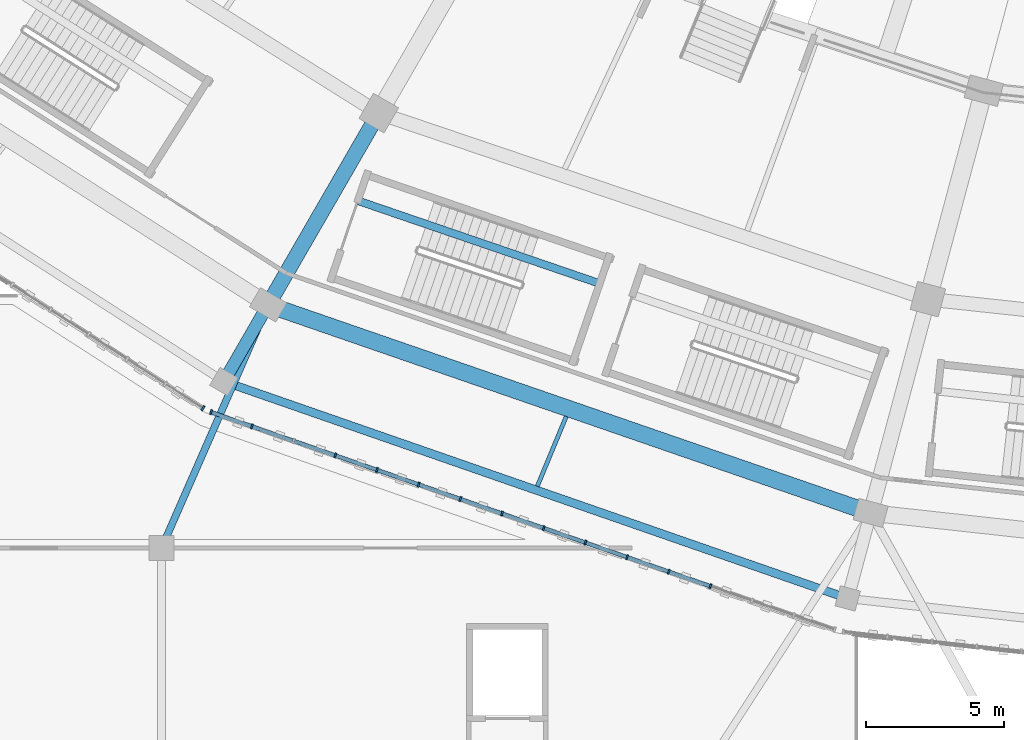
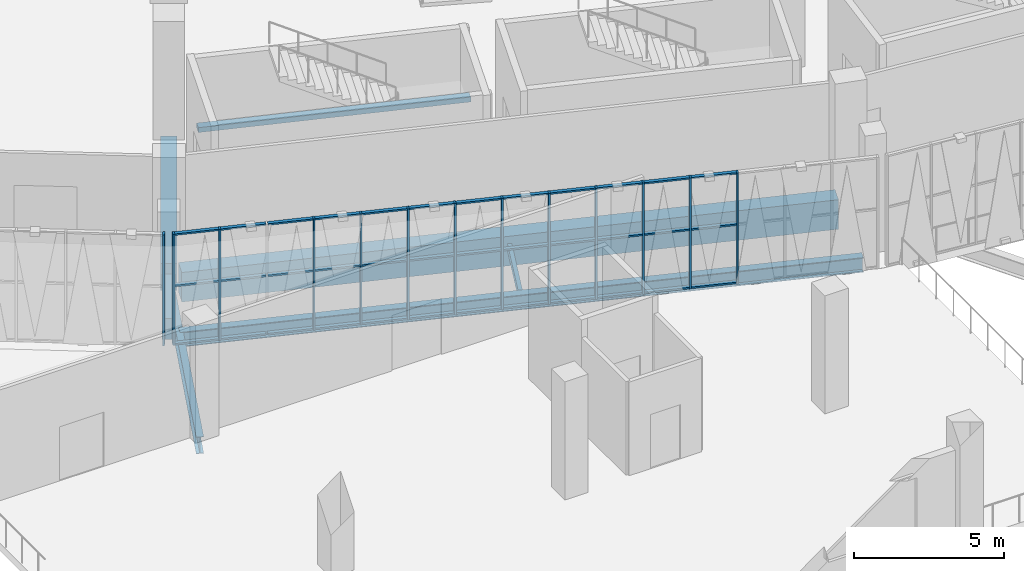
# One storey, part 14 of 183: 49 members, 7 beams, 2 elements without a shape of their own.
"""IFC4 building model written with IfcOpenShell, lengths in metres."""

from ifc_helpers import new_model, si_unit, direction, frame, origin, origin_2d, place, context, subcontext, project, spatial, rectangle, i_section, extrude, material, material_profile, profile_set, type_object, element, aggregate, save


model = new_model("IFC4")

# Units and contexts
model_context = context("Model", 3, precision=1e-05, world=origin(), true_north=direction((0.0, 1.0)))
body_context = subcontext(model_context, "Body", "Model", "MODEL_VIEW")
ifc_project = project(units=[si_unit("LENGTHUNIT", "METRE"), si_unit("AREAUNIT", "SQUARE_METRE"), si_unit("VOLUMEUNIT", "CUBIC_METRE"), si_unit("PLANEANGLEUNIT", "RADIAN"), si_unit("MASSUNIT", "GRAM", prefix="KILO")], contexts=[model_context])

# Site, building, storey
site_placement = place(None, origin())
site = spatial("IfcSite", under=ifc_project, at=site_placement, CompositionType="ELEMENT")
building_placement = place(site_placement, origin())
building = spatial("IfcBuilding", under=site, at=building_placement, Name="Zevraka Park Crest Stadium", CompositionType="ELEMENT")
storey_placement = place(building_placement, frame((0.0, 0.0, 5.39990234375)))
storey = spatial("IfcBuildingStorey", under=building, at=storey_placement, Name="L01", CompositionType="ELEMENT", Elevation=5.39990234375)

# Beams
ifc_material_1 = material(Name="Concrete C40/50", Category="concrete")
ifc_material_profile_1 = material_profile(ifc_material_1, rectangle(XDim=0.550048828125, YDim=1.10009765625, at=origin_2d()), Name="RC 1100x550")
ifc_profile_set_1 = profile_set([ifc_material_profile_1], Name="Concrete C40/50")
beam_type_1 = type_object("IfcBeamType", Name="BG02", PredefinedType="BEAM", material=ifc_profile_set_1)
beam_1_placement = place(storey_placement, frame((70.699951171875, 33.4560546875, -0.559814453125), z_axis=(-0.500031859608, -0.86600700885, 0.0), x_axis=(0.86600700885, -0.500031859608, 0.0)))
element("IfcBeam", 1, at=beam_1_placement, inside=storey, type_object=beam_type_1, Name="Radial Girder BG02 L01-CD-16", PredefinedType="BEAM", context=body_context, shape_type="SweptSolid", body=[
    extrude(rectangle(XDim=0.550048828125, YDim=1.10009765625, at=origin_2d()), origin(), (0.0, 0.0, 1.0), 7.3994140625),
])
ifc_material_2 = material(Name="Concrete C40/50", Category="concrete")
ifc_material_profile_2 = material_profile(ifc_material_2, rectangle(XDim=0.449951171875, YDim=0.85009765625, at=origin_2d()), Name="RC 850x450")
ifc_profile_set_2 = profile_set([ifc_material_profile_2], Name="Concrete C40/50")
beam_type_2 = type_object("IfcBeamType", Name="BG03", PredefinedType="BEAM", material=ifc_profile_set_2)
beam_2_placement = place(storey_placement, frame((66.699951171875, 26.528076171875, -0.434814453125), z_axis=(-0.500128937424, -0.865950948929, 0.0), x_axis=(0.865950948929, -0.500128937424, 0.0)))
element("IfcBeam", 2, at=beam_2_placement, inside=storey, type_object=beam_type_2, Name="Radial Girder BG03 L01-DE-16", PredefinedType="BEAM", context=body_context, shape_type="SweptSolid", body=[
    extrude(rectangle(XDim=0.449951171875, YDim=0.85009765625, at=origin_2d()), origin(), (0.0, 0.0, 1.0), 2.599365234375),
])
ifc_material_3 = material(Name="Steel S355", Category="steel")
ifc_material_profile_3 = material_profile(ifc_material_3, i_section(OverallWidth=0.253662109375, OverallDepth=0.68359375, WebThickness=0.012451171875, FlangeThickness=0.01904296875, at=origin_2d()), Name="UKB 686x254x140")
ifc_profile_set_3 = profile_set([ifc_material_profile_3], Name="Steel S355")
beam_type_3 = type_object("IfcBeamType", Name="BG05", PredefinedType="BEAM", material=ifc_profile_set_3)
beam_3_placement = place(storey_placement, frame((63.080078125, 18.18310546875, -0.649658203125), z_axis=(0.401335913167, 0.915930938883, 0.0), x_axis=(-0.915930938883, 0.401335913167, 0.0)))
element("IfcBeam", 3, at=beam_3_placement, inside=storey, type_object=beam_type_3, Name="Wing Link Girder BG05 L01-8/C", PredefinedType="BEAM", context=body_context, shape_type="SweptSolid", body=[
    extrude(i_section(OverallWidth=0.253662109375, OverallDepth=0.68359375, WebThickness=0.012451171875, FlangeThickness=0.01904296875, at=origin_2d()), origin(), (0.0, 0.0, 1.0), 9.0146484375),
])

# Curtain wall, members
ifc_material_4 = material(Name="Anodised architectural aluminium and laminated safety glass", Category="aluminium")
curtain_wall_type_1 = type_object("IfcCurtainWallType", Name="CW02", PredefinedType="NOTDEFINED", material=ifc_material_4)
curtain_wall_1_placement = place(storey_placement, origin())
curtain_wall_1 = element("IfcCurtainWall", 4, at=curtain_wall_1_placement, inside=storey, type_object=curtain_wall_type_1, Name="Unitised Ring Curtain Wall CW02 L01-16", PredefinedType="NOTDEFINED")
ifc_material_5 = material(Name="Anodised architectural aluminium", Category="aluminium")
ifc_material_profile_4 = material_profile(ifc_material_5, rectangle(XDim=0.179931640625, YDim=0.06494140625, at=origin_2d()), Name="ALU MULLION 180x65")
ifc_profile_set_4 = profile_set([ifc_material_profile_4], Name="Anodised architectural aluminium")
member_type_1 = type_object("IfcMemberType", Name="CM02", PredefinedType="MULLION", material=ifc_profile_set_4)
member_1_placement = place(storey_placement, frame((64.789794921875, 22.9091796875, 0.0), z_axis=(0.0, 0.0, 1.0), x_axis=(0.329209289879, 0.944256979565, 0.0)))
member_1 = element("IfcMember", 5, at=member_1_placement, type_object=member_type_1, Name="CW02 mullion 1", PredefinedType="MULLION", context=body_context, shape_type="SweptSolid", body=[
    extrude(rectangle(XDim=0.179931640625, YDim=0.06494140625, at=origin_2d()), origin(), (0.0, 0.0, 1.0), 4.52001953125),
])
member_2_placement = place(storey_placement, frame((66.265625, 22.394775390625, 0.0), z_axis=(0.0, 0.0, 1.0), x_axis=(0.329209289879, 0.944256979565, 0.0)))
member_2 = element("IfcMember", 6, at=member_2_placement, type_object=member_type_1, Name="CW02 mullion 2", PredefinedType="MULLION", context=body_context, shape_type="SweptSolid", body=[
    extrude(rectangle(XDim=0.179931640625, YDim=0.06494140625, at=origin_2d()), origin(), (0.0, 0.0, 1.0), 4.52001953125),
])
member_3_placement = place(storey_placement, frame((69.27880859375, 21.34423828125, 0.0), z_axis=(0.0, 0.0, 1.0), x_axis=(0.329209289879, 0.944256979565, 0.0)))
member_3 = element("IfcMember", 7, at=member_3_placement, type_object=member_type_1, Name="CW02 mullion 4", PredefinedType="MULLION", context=body_context, shape_type="SweptSolid", body=[
    extrude(rectangle(XDim=0.179931640625, YDim=0.06494140625, at=origin_2d()), origin(), (0.0, 0.0, 1.0), 4.52001953125),
])
member_4_placement = place(storey_placement, frame((70.785400390625, 20.81884765625, 0.0), z_axis=(0.0, 0.0, 1.0), x_axis=(0.329209289879, 0.944256979565, 0.0)))
member_4 = element("IfcMember", 8, at=member_4_placement, type_object=member_type_1, Name="CW02 mullion 5", PredefinedType="MULLION", context=body_context, shape_type="SweptSolid", body=[
    extrude(rectangle(XDim=0.179931640625, YDim=0.06494140625, at=origin_2d()), origin(), (0.0, 0.0, 1.0), 4.52001953125),
])
member_5_placement = place(storey_placement, frame((72.2919921875, 20.293701171875, 0.0), z_axis=(0.0, 0.0, 1.0), x_axis=(0.329209289879, 0.944256979565, 0.0)))
member_5 = element("IfcMember", 9, at=member_5_placement, type_object=member_type_1, Name="CW02 mullion 6", PredefinedType="MULLION", context=body_context, shape_type="SweptSolid", body=[
    extrude(rectangle(XDim=0.179931640625, YDim=0.06494140625, at=origin_2d()), origin(), (0.0, 0.0, 1.0), 4.52001953125),
])
member_6_placement = place(storey_placement, frame((73.798583984375, 19.768310546875, 0.0), z_axis=(0.0, 0.0, 1.0), x_axis=(0.329209289879, 0.944256979565, 0.0)))
member_6 = element("IfcMember", 10, at=member_6_placement, type_object=member_type_1, Name="CW02 mullion 7", PredefinedType="MULLION", context=body_context, shape_type="SweptSolid", body=[
    extrude(rectangle(XDim=0.179931640625, YDim=0.06494140625, at=origin_2d()), origin(), (0.0, 0.0, 1.0), 4.52001953125),
])
member_7_placement = place(storey_placement, frame((75.30517578125, 19.2431640625, 0.0), z_axis=(0.0, 0.0, 1.0), x_axis=(0.329209289879, 0.944256979565, 0.0)))
member_7 = element("IfcMember", 11, at=member_7_placement, type_object=member_type_1, Name="CW02 mullion 8", PredefinedType="MULLION", context=body_context, shape_type="SweptSolid", body=[
    extrude(rectangle(XDim=0.179931640625, YDim=0.06494140625, at=origin_2d()), origin(), (0.0, 0.0, 1.0), 4.52001953125),
])
member_8_placement = place(storey_placement, frame((76.811767578125, 18.7177734375, 0.0), z_axis=(0.0, 0.0, 1.0), x_axis=(0.329209289879, 0.944256979565, 0.0)))
member_8 = element("IfcMember", 12, at=member_8_placement, type_object=member_type_1, Name="CW02 mullion 9", PredefinedType="MULLION", context=body_context, shape_type="SweptSolid", body=[
    extrude(rectangle(XDim=0.179931640625, YDim=0.06494140625, at=origin_2d()), origin(), (0.0, 0.0, 1.0), 4.52001953125),
])
member_9_placement = place(storey_placement, frame((78.318359375, 18.192626953125, 0.0), z_axis=(0.0, 0.0, 1.0), x_axis=(0.329209289879, 0.944256979565, 0.0)))
member_9 = element("IfcMember", 13, at=member_9_placement, type_object=member_type_1, Name="CW02 mullion 10", PredefinedType="MULLION", context=body_context, shape_type="SweptSolid", body=[
    extrude(rectangle(XDim=0.179931640625, YDim=0.06494140625, at=origin_2d()), origin(), (0.0, 0.0, 1.0), 4.52001953125),
])
member_10_placement = place(storey_placement, frame((79.824951171875, 17.667236328125, 0.0), z_axis=(0.0, 0.0, 1.0), x_axis=(0.329209289879, 0.944256979565, 0.0)))
member_10 = element("IfcMember", 14, at=member_10_placement, type_object=member_type_1, Name="CW02 mullion 11", PredefinedType="MULLION", context=body_context, shape_type="SweptSolid", body=[
    extrude(rectangle(XDim=0.179931640625, YDim=0.06494140625, at=origin_2d()), origin(), (0.0, 0.0, 1.0), 4.52001953125),
])
member_11_placement = place(storey_placement, frame((81.33154296875, 17.14208984375, 0.0), z_axis=(0.0, 0.0, 1.0), x_axis=(0.329209289879, 0.944256979565, 0.0)))
member_11 = element("IfcMember", 15, at=member_11_placement, type_object=member_type_1, Name="CW02 mullion 12", PredefinedType="MULLION", context=body_context, shape_type="SweptSolid", body=[
    extrude(rectangle(XDim=0.179931640625, YDim=0.06494140625, at=origin_2d()), origin(), (0.0, 0.0, 1.0), 4.52001953125),
])
member_12_placement = place(storey_placement, frame((82.838134765625, 16.61669921875, 0.0), z_axis=(0.0, 0.0, 1.0), x_axis=(0.329209289879, 0.944256979565, 0.0)))
member_12 = element("IfcMember", 16, at=member_12_placement, type_object=member_type_1, Name="CW02 mullion 13", PredefinedType="MULLION", context=body_context, shape_type="SweptSolid", body=[
    extrude(rectangle(XDim=0.179931640625, YDim=0.06494140625, at=origin_2d()), origin(), (0.0, 0.0, 1.0), 4.52001953125),
])

# Curtain wall, member
ifc_material_6 = material(Name="Anodised architectural aluminium and laminated safety glass", Category="aluminium")
curtain_wall_type_2 = type_object("IfcCurtainWallType", Name="CW03", PredefinedType="NOTDEFINED", material=ifc_material_6)
curtain_wall_2_placement = place(storey_placement, origin())
curtain_wall_2 = element("IfcCurtainWall", 17, at=curtain_wall_2_placement, inside=storey, type_object=curtain_wall_type_2, Name="Unitised Ring Curtain Wall CW03 L01-15", PredefinedType="NOTDEFINED")
ifc_material_7 = material(Name="Anodised architectural aluminium", Category="aluminium")
ifc_material_profile_5 = material_profile(ifc_material_7, rectangle(XDim=0.199951171875, YDim=0.070068359375, at=origin_2d()), Name="ALU MULLION 200x70")
ifc_profile_set_5 = profile_set([ifc_material_profile_5], Name="Anodised architectural aluminium")
member_type_2 = type_object("IfcMemberType", Name="CM03", PredefinedType="MULLION", material=ifc_profile_set_5)
member_13_placement = place(storey_placement, frame((64.49658203125, 23.052978515625, 0.0), z_axis=(0.0, 0.0, 1.0), x_axis=(0.542570628938, 0.840010186018, 0.0)))
member_13 = element("IfcMember", 18, at=member_13_placement, type_object=member_type_2, Name="CW03 mullion 15", PredefinedType="MULLION", context=body_context, shape_type="SweptSolid", body=[
    extrude(rectangle(XDim=0.199951171875, YDim=0.070068359375, at=origin_2d()), origin(), (0.0, 0.0, 1.0), 4.52001953125),
])
aggregate(curtain_wall_2, [member_13])

# Member
ifc_material_8 = material(Name="Anodised architectural aluminium", Category="aluminium")
ifc_material_profile_6 = material_profile(ifc_material_8, rectangle(XDim=0.139892578125, YDim=0.06494140625, at=origin_2d()), Name="ALU TRANSOM 140x65")
ifc_profile_set_6 = profile_set([ifc_material_profile_6], Name="Anodised architectural aluminium")
member_type_3 = type_object("IfcMemberType", Name="CT02", PredefinedType="USERDEFINED", material=ifc_profile_set_6)
member_14_placement = place(storey_placement, frame((64.8203125, 22.898681640625, 0.03271484375), z_axis=(0.944259100234, -0.329203207192, 0.0), x_axis=(0.329203207192, 0.944259100234, 0.0)))
member_14 = element("IfcMember", 19, at=member_14_placement, type_object=member_type_3, Name="CW02 transom 1.1", ObjectType="TRANSOM", PredefinedType="USERDEFINED", context=body_context, shape_type="SweptSolid", body=[
    extrude(rectangle(XDim=0.139892578125, YDim=0.06494140625, at=origin_2d()), origin(), (0.0, 0.0, 1.0), 1.498046875),
])

member_15_placement = place(storey_placement, frame((64.8203125, 22.898681640625, 2.400146484375), z_axis=(0.944259100234, -0.329203207192, 0.0), x_axis=(0.329203207192, 0.944259100234, 0.0)))
member_15 = element("IfcMember", 20, at=member_15_placement, type_object=member_type_3, Name="CW02 transom 1.2", ObjectType="TRANSOM", PredefinedType="USERDEFINED", context=body_context, shape_type="SweptSolid", body=[
    extrude(rectangle(XDim=0.139892578125, YDim=0.06494140625, at=origin_2d()), origin(), (0.0, 0.0, 1.0), 1.498046875),
])

member_16_placement = place(storey_placement, frame((64.8203125, 22.898681640625, 4.487548828125), z_axis=(0.944259100234, -0.329203207192, 0.0), x_axis=(0.329203207192, 0.944259100234, 0.0)))
member_16 = element("IfcMember", 21, at=member_16_placement, type_object=member_type_3, Name="CW02 transom 1.3", ObjectType="TRANSOM", PredefinedType="USERDEFINED", context=body_context, shape_type="SweptSolid", body=[
    extrude(rectangle(XDim=0.139892578125, YDim=0.06494140625, at=origin_2d()), origin(), (0.0, 0.0, 1.0), 1.498046875),
])

member_17_placement = place(storey_placement, frame((66.29638671875, 22.384033203125, 0.03271484375), z_axis=(0.944238249242, -0.329263008352, 0.0), x_axis=(0.329263008352, 0.944238249242, 0.0)))
member_17 = element("IfcMember", 22, at=member_17_placement, type_object=member_type_3, Name="CW02 transom 2.1", ObjectType="TRANSOM", PredefinedType="USERDEFINED", context=body_context, shape_type="SweptSolid", body=[
    extrude(rectangle(XDim=0.139892578125, YDim=0.06494140625, at=origin_2d()), origin(), (0.0, 0.0, 1.0), 1.530517578125),
])

member_18_placement = place(storey_placement, frame((66.29638671875, 22.384033203125, 2.400146484375), z_axis=(0.944238249242, -0.329263008352, 0.0), x_axis=(0.329263008352, 0.944238249242, 0.0)))
member_18 = element("IfcMember", 23, at=member_18_placement, type_object=member_type_3, Name="CW02 transom 2.2", ObjectType="TRANSOM", PredefinedType="USERDEFINED", context=body_context, shape_type="SweptSolid", body=[
    extrude(rectangle(XDim=0.139892578125, YDim=0.06494140625, at=origin_2d()), origin(), (0.0, 0.0, 1.0), 1.530517578125),
])

member_19_placement = place(storey_placement, frame((66.29638671875, 22.384033203125, 4.487548828125), z_axis=(0.944238249242, -0.329263008352, 0.0), x_axis=(0.329263008352, 0.944238249242, 0.0)))
member_19 = element("IfcMember", 24, at=member_19_placement, type_object=member_type_3, Name="CW02 transom 2.3", ObjectType="TRANSOM", PredefinedType="USERDEFINED", context=body_context, shape_type="SweptSolid", body=[
    extrude(rectangle(XDim=0.139892578125, YDim=0.06494140625, at=origin_2d()), origin(), (0.0, 0.0, 1.0), 1.530517578125),
])

member_20_placement = place(storey_placement, frame((67.802978515625, 21.85888671875, 0.03271484375), z_axis=(0.944238249242, -0.329263008352, 0.0), x_axis=(0.329263008352, 0.944238249242, 0.0)))
member_20 = element("IfcMember", 25, at=member_20_placement, type_object=member_type_3, Name="CW02 transom 3.1", ObjectType="TRANSOM", PredefinedType="USERDEFINED", context=body_context, shape_type="SweptSolid", body=[
    extrude(rectangle(XDim=0.139892578125, YDim=0.06494140625, at=origin_2d()), origin(), (0.0, 0.0, 1.0), 1.530517578125),
])

member_21_placement = place(storey_placement, frame((67.802978515625, 21.85888671875, 2.400146484375), z_axis=(0.944238249242, -0.329263008352, 0.0), x_axis=(0.329263008352, 0.944238249242, 0.0)))
member_21 = element("IfcMember", 26, at=member_21_placement, type_object=member_type_3, Name="CW02 transom 3.2", ObjectType="TRANSOM", PredefinedType="USERDEFINED", context=body_context, shape_type="SweptSolid", body=[
    extrude(rectangle(XDim=0.139892578125, YDim=0.06494140625, at=origin_2d()), origin(), (0.0, 0.0, 1.0), 1.530517578125),
])

member_22_placement = place(storey_placement, frame((67.802978515625, 21.85888671875, 4.487548828125), z_axis=(0.944238249242, -0.329263008352, 0.0), x_axis=(0.329263008352, 0.944238249242, 0.0)))
member_22 = element("IfcMember", 27, at=member_22_placement, type_object=member_type_3, Name="CW02 transom 3.3", ObjectType="TRANSOM", PredefinedType="USERDEFINED", context=body_context, shape_type="SweptSolid", body=[
    extrude(rectangle(XDim=0.139892578125, YDim=0.06494140625, at=origin_2d()), origin(), (0.0, 0.0, 1.0), 1.530517578125),
])

member_23_placement = place(storey_placement, frame((69.3095703125, 21.33349609375, 0.03271484375), z_axis=(0.944238249242, -0.329263008352, 0.0), x_axis=(0.329263008352, 0.944238249242, 0.0)))
member_23 = element("IfcMember", 28, at=member_23_placement, type_object=member_type_3, Name="CW02 transom 4.1", ObjectType="TRANSOM", PredefinedType="USERDEFINED", context=body_context, shape_type="SweptSolid", body=[
    extrude(rectangle(XDim=0.139892578125, YDim=0.06494140625, at=origin_2d()), origin(), (0.0, 0.0, 1.0), 1.530517578125),
])

member_24_placement = place(storey_placement, frame((69.3095703125, 21.33349609375, 2.400146484375), z_axis=(0.944238249242, -0.329263008352, 0.0), x_axis=(0.329263008352, 0.944238249242, 0.0)))
member_24 = element("IfcMember", 29, at=member_24_placement, type_object=member_type_3, Name="CW02 transom 4.2", ObjectType="TRANSOM", PredefinedType="USERDEFINED", context=body_context, shape_type="SweptSolid", body=[
    extrude(rectangle(XDim=0.139892578125, YDim=0.06494140625, at=origin_2d()), origin(), (0.0, 0.0, 1.0), 1.530517578125),
])

member_25_placement = place(storey_placement, frame((69.3095703125, 21.33349609375, 4.487548828125), z_axis=(0.944238249242, -0.329263008352, 0.0), x_axis=(0.329263008352, 0.944238249242, 0.0)))
member_25 = element("IfcMember", 30, at=member_25_placement, type_object=member_type_3, Name="CW02 transom 4.3", ObjectType="TRANSOM", PredefinedType="USERDEFINED", context=body_context, shape_type="SweptSolid", body=[
    extrude(rectangle(XDim=0.139892578125, YDim=0.06494140625, at=origin_2d()), origin(), (0.0, 0.0, 1.0), 1.530517578125),
])

member_26_placement = place(storey_placement, frame((70.816162109375, 20.808349609375, 0.03271484375), z_axis=(0.944238249242, -0.329263008352, 0.0), x_axis=(0.329263008352, 0.944238249242, 0.0)))
member_26 = element("IfcMember", 31, at=member_26_placement, type_object=member_type_3, Name="CW02 transom 5.1", ObjectType="TRANSOM", PredefinedType="USERDEFINED", context=body_context, shape_type="SweptSolid", body=[
    extrude(rectangle(XDim=0.139892578125, YDim=0.06494140625, at=origin_2d()), origin(), (0.0, 0.0, 1.0), 1.530517578125),
])

member_27_placement = place(storey_placement, frame((70.816162109375, 20.808349609375, 2.400146484375), z_axis=(0.944238249242, -0.329263008352, 0.0), x_axis=(0.329263008352, 0.944238249242, 0.0)))
member_27 = element("IfcMember", 32, at=member_27_placement, type_object=member_type_3, Name="CW02 transom 5.2", ObjectType="TRANSOM", PredefinedType="USERDEFINED", context=body_context, shape_type="SweptSolid", body=[
    extrude(rectangle(XDim=0.139892578125, YDim=0.06494140625, at=origin_2d()), origin(), (0.0, 0.0, 1.0), 1.530517578125),
])

member_28_placement = place(storey_placement, frame((70.816162109375, 20.808349609375, 4.487548828125), z_axis=(0.944238249242, -0.329263008352, 0.0), x_axis=(0.329263008352, 0.944238249242, 0.0)))
member_28 = element("IfcMember", 33, at=member_28_placement, type_object=member_type_3, Name="CW02 transom 5.3", ObjectType="TRANSOM", PredefinedType="USERDEFINED", context=body_context, shape_type="SweptSolid", body=[
    extrude(rectangle(XDim=0.139892578125, YDim=0.06494140625, at=origin_2d()), origin(), (0.0, 0.0, 1.0), 1.530517578125),
])

member_29_placement = place(storey_placement, frame((72.32275390625, 20.282958984375, 0.03271484375), z_axis=(0.944238249242, -0.329263008352, 0.0), x_axis=(0.329263008352, 0.944238249242, 0.0)))
member_29 = element("IfcMember", 34, at=member_29_placement, type_object=member_type_3, Name="CW02 transom 6.1", ObjectType="TRANSOM", PredefinedType="USERDEFINED", context=body_context, shape_type="SweptSolid", body=[
    extrude(rectangle(XDim=0.139892578125, YDim=0.06494140625, at=origin_2d()), origin(), (0.0, 0.0, 1.0), 1.530517578125),
])

member_30_placement = place(storey_placement, frame((72.32275390625, 20.282958984375, 2.400146484375), z_axis=(0.944238249242, -0.329263008352, 0.0), x_axis=(0.329263008352, 0.944238249242, 0.0)))
member_30 = element("IfcMember", 35, at=member_30_placement, type_object=member_type_3, Name="CW02 transom 6.2", ObjectType="TRANSOM", PredefinedType="USERDEFINED", context=body_context, shape_type="SweptSolid", body=[
    extrude(rectangle(XDim=0.139892578125, YDim=0.06494140625, at=origin_2d()), origin(), (0.0, 0.0, 1.0), 1.530517578125),
])

member_31_placement = place(storey_placement, frame((72.32275390625, 20.282958984375, 4.487548828125), z_axis=(0.944238249242, -0.329263008352, 0.0), x_axis=(0.329263008352, 0.944238249242, 0.0)))
member_31 = element("IfcMember", 36, at=member_31_placement, type_object=member_type_3, Name="CW02 transom 6.3", ObjectType="TRANSOM", PredefinedType="USERDEFINED", context=body_context, shape_type="SweptSolid", body=[
    extrude(rectangle(XDim=0.139892578125, YDim=0.06494140625, at=origin_2d()), origin(), (0.0, 0.0, 1.0), 1.530517578125),
])

member_32_placement = place(storey_placement, frame((73.829345703125, 19.7578125, 0.03271484375), z_axis=(0.944238249242, -0.329263008352, 0.0), x_axis=(0.329263008352, 0.944238249242, 0.0)))
member_32 = element("IfcMember", 37, at=member_32_placement, type_object=member_type_3, Name="CW02 transom 7.1", ObjectType="TRANSOM", PredefinedType="USERDEFINED", context=body_context, shape_type="SweptSolid", body=[
    extrude(rectangle(XDim=0.139892578125, YDim=0.06494140625, at=origin_2d()), origin(), (0.0, 0.0, 1.0), 1.530517578125),
])

member_33_placement = place(storey_placement, frame((73.829345703125, 19.7578125, 2.400146484375), z_axis=(0.944238249242, -0.329263008352, 0.0), x_axis=(0.329263008352, 0.944238249242, 0.0)))
member_33 = element("IfcMember", 38, at=member_33_placement, type_object=member_type_3, Name="CW02 transom 7.2", ObjectType="TRANSOM", PredefinedType="USERDEFINED", context=body_context, shape_type="SweptSolid", body=[
    extrude(rectangle(XDim=0.139892578125, YDim=0.06494140625, at=origin_2d()), origin(), (0.0, 0.0, 1.0), 1.530517578125),
])

member_34_placement = place(storey_placement, frame((73.829345703125, 19.7578125, 4.487548828125), z_axis=(0.944238249242, -0.329263008352, 0.0), x_axis=(0.329263008352, 0.944238249242, 0.0)))
member_34 = element("IfcMember", 39, at=member_34_placement, type_object=member_type_3, Name="CW02 transom 7.3", ObjectType="TRANSOM", PredefinedType="USERDEFINED", context=body_context, shape_type="SweptSolid", body=[
    extrude(rectangle(XDim=0.139892578125, YDim=0.06494140625, at=origin_2d()), origin(), (0.0, 0.0, 1.0), 1.530517578125),
])

member_35_placement = place(storey_placement, frame((75.3359375, 19.232421875, 0.03271484375), z_axis=(0.944238249242, -0.329263008352, 0.0), x_axis=(0.329263008352, 0.944238249242, 0.0)))
member_35 = element("IfcMember", 40, at=member_35_placement, type_object=member_type_3, Name="CW02 transom 8.1", ObjectType="TRANSOM", PredefinedType="USERDEFINED", context=body_context, shape_type="SweptSolid", body=[
    extrude(rectangle(XDim=0.139892578125, YDim=0.06494140625, at=origin_2d()), origin(), (0.0, 0.0, 1.0), 1.530517578125),
])

member_36_placement = place(storey_placement, frame((75.3359375, 19.232421875, 2.400146484375), z_axis=(0.944238249242, -0.329263008352, 0.0), x_axis=(0.329263008352, 0.944238249242, 0.0)))
member_36 = element("IfcMember", 41, at=member_36_placement, type_object=member_type_3, Name="CW02 transom 8.2", ObjectType="TRANSOM", PredefinedType="USERDEFINED", context=body_context, shape_type="SweptSolid", body=[
    extrude(rectangle(XDim=0.139892578125, YDim=0.06494140625, at=origin_2d()), origin(), (0.0, 0.0, 1.0), 1.530517578125),
])

member_37_placement = place(storey_placement, frame((75.3359375, 19.232421875, 4.487548828125), z_axis=(0.944238249242, -0.329263008352, 0.0), x_axis=(0.329263008352, 0.944238249242, 0.0)))
member_37 = element("IfcMember", 42, at=member_37_placement, type_object=member_type_3, Name="CW02 transom 8.3", ObjectType="TRANSOM", PredefinedType="USERDEFINED", context=body_context, shape_type="SweptSolid", body=[
    extrude(rectangle(XDim=0.139892578125, YDim=0.06494140625, at=origin_2d()), origin(), (0.0, 0.0, 1.0), 1.530517578125),
])

member_38_placement = place(storey_placement, frame((76.842529296875, 18.707275390625, 0.03271484375), z_axis=(0.944238249242, -0.329263008352, 0.0), x_axis=(0.329263008352, 0.944238249242, 0.0)))
member_38 = element("IfcMember", 43, at=member_38_placement, type_object=member_type_3, Name="CW02 transom 9.1", ObjectType="TRANSOM", PredefinedType="USERDEFINED", context=body_context, shape_type="SweptSolid", body=[
    extrude(rectangle(XDim=0.139892578125, YDim=0.06494140625, at=origin_2d()), origin(), (0.0, 0.0, 1.0), 1.530517578125),
])

member_39_placement = place(storey_placement, frame((76.842529296875, 18.707275390625, 2.400146484375), z_axis=(0.944238249242, -0.329263008352, 0.0), x_axis=(0.329263008352, 0.944238249242, 0.0)))
member_39 = element("IfcMember", 44, at=member_39_placement, type_object=member_type_3, Name="CW02 transom 9.2", ObjectType="TRANSOM", PredefinedType="USERDEFINED", context=body_context, shape_type="SweptSolid", body=[
    extrude(rectangle(XDim=0.139892578125, YDim=0.06494140625, at=origin_2d()), origin(), (0.0, 0.0, 1.0), 1.530517578125),
])

member_40_placement = place(storey_placement, frame((76.842529296875, 18.707275390625, 4.487548828125), z_axis=(0.944238249242, -0.329263008352, 0.0), x_axis=(0.329263008352, 0.944238249242, 0.0)))
member_40 = element("IfcMember", 45, at=member_40_placement, type_object=member_type_3, Name="CW02 transom 9.3", ObjectType="TRANSOM", PredefinedType="USERDEFINED", context=body_context, shape_type="SweptSolid", body=[
    extrude(rectangle(XDim=0.139892578125, YDim=0.06494140625, at=origin_2d()), origin(), (0.0, 0.0, 1.0), 1.530517578125),
])

member_41_placement = place(storey_placement, frame((78.34912109375, 18.181884765625, 0.03271484375), z_axis=(0.944255540278, -0.329213418097, 0.0), x_axis=(0.329213418097, 0.944255540278, 0.0)))
member_41 = element("IfcMember", 46, at=member_41_placement, type_object=member_type_3, Name="CW02 transom 10.1", ObjectType="TRANSOM", PredefinedType="USERDEFINED", context=body_context, shape_type="SweptSolid", body=[
    extrude(rectangle(XDim=0.139892578125, YDim=0.06494140625, at=origin_2d()), origin(), (0.0, 0.0, 1.0), 1.530517578125),
])

member_42_placement = place(storey_placement, frame((78.34912109375, 18.181884765625, 2.400146484375), z_axis=(0.944255540278, -0.329213418097, 0.0), x_axis=(0.329213418097, 0.944255540278, 0.0)))
member_42 = element("IfcMember", 47, at=member_42_placement, type_object=member_type_3, Name="CW02 transom 10.2", ObjectType="TRANSOM", PredefinedType="USERDEFINED", context=body_context, shape_type="SweptSolid", body=[
    extrude(rectangle(XDim=0.139892578125, YDim=0.06494140625, at=origin_2d()), origin(), (0.0, 0.0, 1.0), 1.530517578125),
])

member_43_placement = place(storey_placement, frame((78.34912109375, 18.181884765625, 4.487548828125), z_axis=(0.944255540278, -0.329213418097, 0.0), x_axis=(0.329213418097, 0.944255540278, 0.0)))
member_43 = element("IfcMember", 48, at=member_43_placement, type_object=member_type_3, Name="CW02 transom 10.3", ObjectType="TRANSOM", PredefinedType="USERDEFINED", context=body_context, shape_type="SweptSolid", body=[
    extrude(rectangle(XDim=0.139892578125, YDim=0.06494140625, at=origin_2d()), origin(), (0.0, 0.0, 1.0), 1.530517578125),
])

member_44_placement = place(storey_placement, frame((79.855712890625, 17.65673828125, 0.03271484375), z_axis=(0.944255540278, -0.329213418097, 0.0), x_axis=(0.329213418097, 0.944255540278, 0.0)))
member_44 = element("IfcMember", 49, at=member_44_placement, type_object=member_type_3, Name="CW02 transom 11.1", ObjectType="TRANSOM", PredefinedType="USERDEFINED", context=body_context, shape_type="SweptSolid", body=[
    extrude(rectangle(XDim=0.139892578125, YDim=0.06494140625, at=origin_2d()), origin(), (0.0, 0.0, 1.0), 1.530517578125),
])

member_45_placement = place(storey_placement, frame((79.855712890625, 17.65673828125, 2.400146484375), z_axis=(0.944255540278, -0.329213418097, 0.0), x_axis=(0.329213418097, 0.944255540278, 0.0)))
member_45 = element("IfcMember", 50, at=member_45_placement, type_object=member_type_3, Name="CW02 transom 11.2", ObjectType="TRANSOM", PredefinedType="USERDEFINED", context=body_context, shape_type="SweptSolid", body=[
    extrude(rectangle(XDim=0.139892578125, YDim=0.06494140625, at=origin_2d()), origin(), (0.0, 0.0, 1.0), 1.530517578125),
])

member_46_placement = place(storey_placement, frame((79.855712890625, 17.65673828125, 4.487548828125), z_axis=(0.944255540278, -0.329213418097, 0.0), x_axis=(0.329213418097, 0.944255540278, 0.0)))
member_46 = element("IfcMember", 51, at=member_46_placement, type_object=member_type_3, Name="CW02 transom 11.3", ObjectType="TRANSOM", PredefinedType="USERDEFINED", context=body_context, shape_type="SweptSolid", body=[
    extrude(rectangle(XDim=0.139892578125, YDim=0.06494140625, at=origin_2d()), origin(), (0.0, 0.0, 1.0), 1.530517578125),
])

member_47_placement = place(storey_placement, frame((81.3623046875, 17.13134765625, 0.03271484375), z_axis=(0.944255540278, -0.329213418097, 0.0), x_axis=(0.329213418097, 0.944255540278, 0.0)))
member_47 = element("IfcMember", 52, at=member_47_placement, type_object=member_type_3, Name="CW02 transom 12.1", ObjectType="TRANSOM", PredefinedType="USERDEFINED", context=body_context, shape_type="SweptSolid", body=[
    extrude(rectangle(XDim=0.139892578125, YDim=0.06494140625, at=origin_2d()), origin(), (0.0, 0.0, 1.0), 1.530517578125),
])

member_48_placement = place(storey_placement, frame((81.3623046875, 17.13134765625, 2.400146484375), z_axis=(0.944255540278, -0.329213418097, 0.0), x_axis=(0.329213418097, 0.944255540278, 0.0)))
member_48 = element("IfcMember", 53, at=member_48_placement, type_object=member_type_3, Name="CW02 transom 12.2", ObjectType="TRANSOM", PredefinedType="USERDEFINED", context=body_context, shape_type="SweptSolid", body=[
    extrude(rectangle(XDim=0.139892578125, YDim=0.06494140625, at=origin_2d()), origin(), (0.0, 0.0, 1.0), 1.530517578125),
])

member_49_placement = place(storey_placement, frame((81.3623046875, 17.13134765625, 4.487548828125), z_axis=(0.944255540278, -0.329213418097, 0.0), x_axis=(0.329213418097, 0.944255540278, 0.0)))
member_49 = element("IfcMember", 54, at=member_49_placement, type_object=member_type_3, Name="CW02 transom 12.3", ObjectType="TRANSOM", PredefinedType="USERDEFINED", context=body_context, shape_type="SweptSolid", body=[
    extrude(rectangle(XDim=0.139892578125, YDim=0.06494140625, at=origin_2d()), origin(), (0.0, 0.0, 1.0), 1.530517578125),
])

aggregate(curtain_wall_1, [member_1, member_2, member_3, member_4, member_5, member_6, member_7, member_8, member_9, member_10, member_11, member_12, member_14, member_15, member_16, member_17, member_18, member_19, member_20, member_21, member_22, member_23, member_24, member_25, member_26, member_27, member_28, member_29, member_30, member_31, member_32, member_33, member_34, member_35, member_36, member_37, member_38, member_39, member_40, member_41, member_42, member_43, member_44, member_45, member_46, member_47, member_48, member_49])

# Beams
ifc_material_9 = material(Name="Concrete C40/50", Category="concrete")
ifc_material_profile_7 = material_profile(ifc_material_9, rectangle(XDim=0.60009765625, YDim=1.199951171875, at=origin_2d()), Name="RC 1200x600")
ifc_profile_set_7 = profile_set([ifc_material_profile_7], Name="Concrete C40/50")
beam_type_4 = type_object("IfcBeamType", Name="RB01", PredefinedType="BEAM", material=ifc_profile_set_7)
beam_4_placement = place(storey_placement, frame((67.208984375, 26.6640625, -0.60986328125), z_axis=(0.945210431582, -0.326461697644, 0.0), x_axis=(0.326461697644, 0.945210431582, 0.0)))
element("IfcBeam", 55, at=beam_4_placement, inside=storey, type_object=beam_type_4, Name="Ring Beam RB01 L01-D-16", PredefinedType="BEAM", context=body_context, shape_type="SweptSolid", body=[
    extrude(rectangle(XDim=0.60009765625, YDim=1.199951171875, at=origin_2d()), origin(), (0.0, 0.0, 1.0), 22.28173828125),
])
ifc_material_10 = material(Name="Steel S355", Category="steel")
ifc_material_profile_8 = material_profile(ifc_material_10, i_section(OverallWidth=0.300048828125, OverallDepth=0.60009765625, WebThickness=0.015380859375, FlangeThickness=0.030029296875, at=origin_2d()), Name="HEB 600")
ifc_profile_set_8 = profile_set([ifc_material_profile_8], Name="Steel S355")
beam_type_5 = type_object("IfcBeamType", Name="RB03", PredefinedType="BEAM", material=ifc_profile_set_8)
beam_5_placement = place(storey_placement, frame((65.5810546875, 23.902099609375, -0.60498046875), z_axis=(0.944512003331, -0.328476902634, 0.0), x_axis=(0.328476902634, 0.944512003331, 0.0)))
element("IfcBeam", 56, at=beam_5_placement, inside=storey, type_object=beam_type_5, Name="Ring Beam RB03 L01-E-16", PredefinedType="BEAM", context=body_context, shape_type="SweptSolid", body=[
    extrude(i_section(OverallWidth=0.300048828125, OverallDepth=0.60009765625, WebThickness=0.015380859375, FlangeThickness=0.030029296875, at=origin_2d()), origin(), (0.0, 0.0, 1.0), 23.173828125),
])
ifc_material_11 = material(Name="Steel S355", Category="steel")
ifc_material_profile_9 = material_profile(ifc_material_11, i_section(OverallWidth=0.14990234375, OverallDepth=0.300048828125, WebThickness=0.007080078125, FlangeThickness=0.0107421875, at=origin_2d()), Name="IPE 300")
ifc_profile_set_9 = profile_set([ifc_material_profile_9], Name="Steel S355")
beam_type_6 = type_object("IfcBeamType", Name="SJ01", PredefinedType="JOIST", material=ifc_profile_set_9)
beam_6_placement = place(storey_placement, frame((77.626953125, 22.75390625, -0.4580078125), z_axis=(-0.3828253139, -0.923820750491, 0.0), x_axis=(0.923820750491, -0.3828253139, 0.0)))
element("IfcBeam", 57, at=beam_6_placement, inside=storey, type_object=beam_type_6, Name="Floor Joist SJ01 L01-DE-16-1", PredefinedType="JOIST", context=body_context, shape_type="SweptSolid", body=[
    extrude(i_section(OverallWidth=0.14990234375, OverallDepth=0.300048828125, WebThickness=0.007080078125, FlangeThickness=0.0107421875, at=origin_2d()), origin(), (0.0, 0.0, 1.0), 2.73193359375),
])
ifc_material_12 = material(Name="Concrete C40/50", Category="concrete")
ifc_material_profile_10 = material_profile(ifc_material_12, rectangle(XDim=0.280029296875, YDim=0.199951171875, at=origin_2d()), Name="RC 200x280")
ifc_profile_set_10 = profile_set([ifc_material_profile_10], Name="Concrete C40/50")
beam_type_7 = type_object("IfcBeamType", Name="SJ13", PredefinedType="JOIST", material=ifc_profile_set_10)
beam_7_placement = place(storey_placement, frame((70.117919921875, 30.542236328125, 2.300048828125), z_axis=(0.946065027556, -0.323976794902, 0.0), x_axis=(0.323976794902, 0.946065027556, 0.0)))
element("IfcBeam", 58, at=beam_7_placement, inside=storey, type_object=beam_type_7, Name="Stair Upper-Flight Longitudinal Stringer SJ13 ST17-L01", PredefinedType="JOIST", context=body_context, shape_type="SweptSolid", body=[
    extrude(rectangle(XDim=0.280029296875, YDim=0.199951171875, at=origin_2d()), origin(), (0.0, 0.0, 1.0), 9.250244140625),
])

save(model, "model.ifc")
